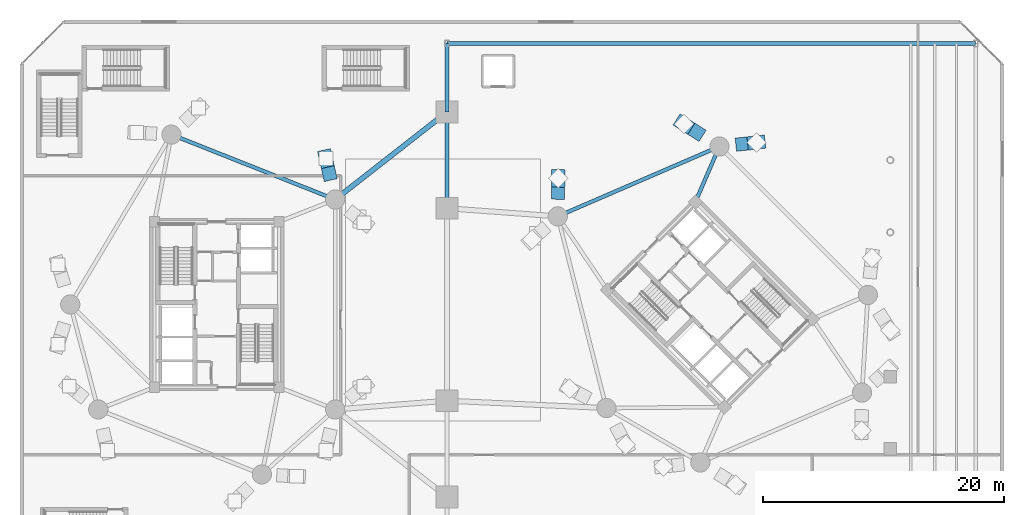
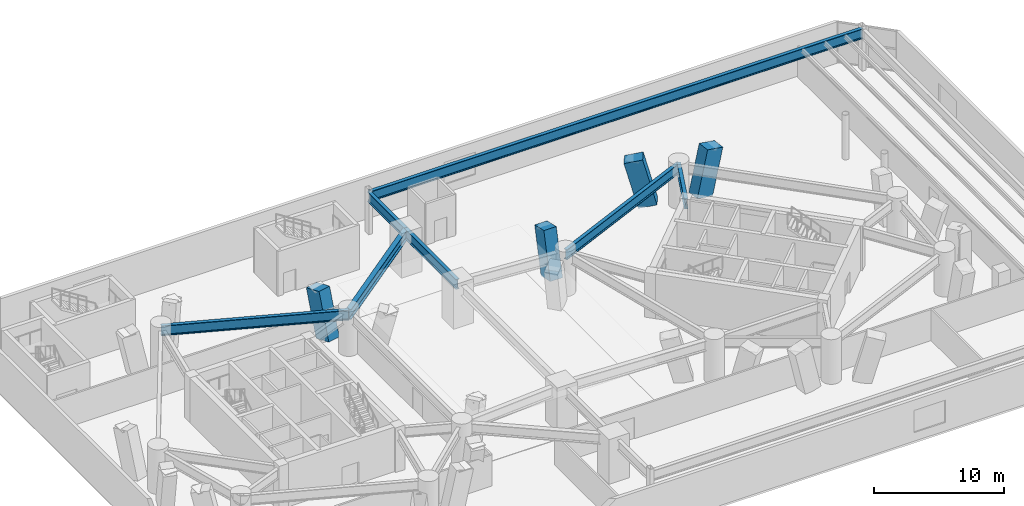
# One storey, part 6 of 20: 7 beams, 4 members.
"""IFC4 building model written with IfcOpenShell, lengths in metres."""

import ifcopenshell
import ifcopenshell.guid

model = None  # the IFC model being written
_history = None  # IfcOwnerHistory: only IFC2X3 demands one
_inside = {}  # id of a spatial element -> (the spatial element, [elements in it])
_under = {}  # id of a project, library or spatial element -> (it, [spatial elements below it])
_declared = {}  # id of a project -> (the project, [libraries it declares])
_typed = {}  # id of a type object -> (the type object, [elements of that type])
_made_of = {}  # id of a material, layer set ... -> (it, [elements and type objects made of it])


def new_model(schema):
    """Start an empty IFC model of exactly this schema.

    Asked for "IFC4X3", IfcOpenShell would pick the latest addendum, in which some entities
    have other attributes; the version numbers below select the first issue.
    IFC2X3 requires an IfcOwnerHistory on every rooted entity: one is made here for all.
    """
    global model, _history
    if schema == "IFC4X3":
        model = ifcopenshell.file(schema_version=(4, 3, 0, 0))
    else:
        model = ifcopenshell.file(schema=schema)
    _inside.clear()
    _under.clear()
    _declared.clear()
    _typed.clear()
    _made_of.clear()
    _history = None
    if model.schema == "IFC2X3":
        org = make("IfcOrganization", Name="unknown")
        user = make(
            "IfcPersonAndOrganization",
            ThePerson=make("IfcPerson", FamilyName="unknown"),
            TheOrganization=org,
        )
        app = make(
            "IfcApplication",
            ApplicationDeveloper=org,
            Version="unknown",
            ApplicationFullName="unknown",
            ApplicationIdentifier="unknown",
        )
        _history = make(
            "IfcOwnerHistory",
            OwningUser=user,
            OwningApplication=app,
            ChangeAction="ADDED",
            CreationDate=0,
        )
    return model


def make(cls, **values):
    """One entity of the class cls with the attributes given. An attribute that is None is left unset."""
    return model.create_entity(
        cls, **{name: value for name, value in values.items() if value is not None}
    )


def rooted(cls, **values):
    """An entity with a GlobalId (a new one), such as an element, a storey or a relation."""
    return make(cls, GlobalId=ifcopenshell.guid.new(), OwnerHistory=_history, **values)


def si_unit(unit_type, name, prefix=None):
    """IfcSIUnit, for example si_unit("LENGTHUNIT", "METRE", prefix="MILLI")."""
    return make("IfcSIUnit", UnitType=unit_type, Prefix=prefix, Name=name)


def assignment(units):
    """IfcUnitAssignment: the units of a project."""
    return None if units is None else make("IfcUnitAssignment", Units=units)


def point(xyz):
    """IfcCartesianPoint."""
    return None if xyz is None else make("IfcCartesianPoint", Coordinates=xyz)


def direction(xyz):
    """IfcDirection."""
    return None if xyz is None else make("IfcDirection", DirectionRatios=xyz)


def frame(location, z_axis=None, x_axis=None):
    """IfcAxis2Placement3D, a coordinate frame: its origin and axes. An axis left out is left unset."""
    return make(
        "IfcAxis2Placement3D",
        Location=point(location),
        Axis=direction(z_axis),
        RefDirection=direction(x_axis),
    )


def frame_2d(location, x_axis=None):
    """IfcAxis2Placement2D, a coordinate frame in the plane: its origin and x axis."""
    return make(
        "IfcAxis2Placement2D", Location=point(location), RefDirection=direction(x_axis)
    )


def origin():
    """The frame at (0, 0, 0) with its axes left unset."""
    return frame((0.0, 0.0, 0.0))


def origin_2d():
    """The frame at (0, 0) in the plane with its x axis left unset."""
    return frame_2d((0.0, 0.0))


def place(relative_to, where):
    """IfcLocalPlacement: puts the frame where relative to a parent placement (None: the world)."""
    return make(
        "IfcLocalPlacement", PlacementRelTo=relative_to, RelativePlacement=where
    )


def context(
    kind, dimensions, precision=None, world=None, true_north=None, identifier=None
):
    """IfcGeometricRepresentationContext, for example the 3D "Model" context."""
    return make(
        "IfcGeometricRepresentationContext",
        ContextIdentifier=identifier,
        ContextType=kind,
        CoordinateSpaceDimension=dimensions,
        Precision=precision,
        WorldCoordinateSystem=world,
        TrueNorth=true_north,
    )


def subcontext(parent, identifier, kind, view, scale=None):
    """IfcGeometricRepresentationSubContext, for example "Body" below "Model"."""
    return make(
        "IfcGeometricRepresentationSubContext",
        ContextIdentifier=identifier,
        ContextType=kind,
        ParentContext=parent,
        TargetScale=scale,
        TargetView=view,
    )


def project(units=None, contexts=None):
    """IfcProject with its units and contexts."""
    return rooted(
        "IfcProject",
        Name="project",
        RepresentationContexts=contexts,
        UnitsInContext=assignment(units),
    )


def spatial(cls, under=None, at=None, **own):
    """A site, building, storey or space (cls), placed at a placement, below another one or the project."""
    s = rooted(cls, ObjectPlacement=at, **own)
    if under is not None:
        _under.setdefault(under.id(), (under, []))[1].append(s)
    return s


def profile(cls, at=None, kind="AREA", **sizes):
    """A parametric profile (cls). Its sizes go by their IFC names, for example OverallWidth=200.0."""
    return make(cls, ProfileType=kind, Position=at, **sizes)


def rectangle(**sizes):
    """IfcRectangleProfileDef."""
    return profile("IfcRectangleProfileDef", **sizes)


def i_section(**sizes):
    """IfcIShapeProfileDef."""
    return profile("IfcIShapeProfileDef", **sizes)


def extrude(swept, where, along, depth):
    """IfcExtrudedAreaSolid: the profile swept, set in the frame where, extruded along a direction by depth."""
    return make(
        "IfcExtrudedAreaSolid",
        SweptArea=swept,
        Position=where,
        ExtrudedDirection=direction(along),
        Depth=depth,
    )


def shape(context_of_items, identifier, shape_type, items):
    """IfcShapeRepresentation: the items that make up one representation, for example the "Body"."""
    return make(
        "IfcShapeRepresentation",
        ContextOfItems=context_of_items,
        RepresentationIdentifier=identifier,
        RepresentationType=shape_type,
        Items=items,
    )


def material(Name=None, Category=None):
    """IfcMaterial."""
    return make("IfcMaterial", Name=Name, Category=Category)


def material_profile(
    of_material, cross_section, Name=None, Category=None, Priority=None
):
    """IfcMaterialProfile: a cross section and its material."""
    return make(
        "IfcMaterialProfile",
        Name=Name,
        Material=of_material,
        Profile=cross_section,
        Priority=Priority,
        Category=Category,
    )


def profile_set(profiles, Name=None, composite=None):
    """IfcMaterialProfileSet."""
    return make(
        "IfcMaterialProfileSet",
        Name=Name,
        MaterialProfiles=profiles,
        CompositeProfile=composite,
    )


def made_of(thing, what):
    """Note that an element or type object is made of a material, layer set ...; save() writes the relation."""
    if what is not None:
        _made_of.setdefault(what.id(), (what, []))[1].append(thing)
    return thing


def type_object(cls, material=None, **own):
    """A type object (cls), such as IfcWallType, which elements share."""
    return made_of(rooted(cls, **own), material)


def element(
    cls,
    number,
    at=None,
    inside=None,
    cuts=None,
    type_object=None,
    material=None,
    context=None,
    identifier="Body",
    shape_type=None,
    held_by="IfcProductDefinitionShape",
    body=None,
    shapes=None,
    **own,
):
    """One element of the class cls, such as IfcWall. Its Tag is "e" and its number.

    at: its placement. inside: the storey or other place that contains it. cuts: it is an
    opening in that element (IfcRelVoidsElement). A single representation is given by context,
    identifier, shape_type and body (its items); several are given by shapes. held_by: the class
    of the entity that holds the representations. save() writes the other relations.
    """
    e = rooted(cls, Tag="e%d" % number, ObjectPlacement=at, **own)
    if body is not None:
        shapes = [shape(context, identifier, shape_type, body)]
    if shapes is not None:
        e.Representation = make(held_by, Representations=shapes)
    if inside is not None:
        _inside.setdefault(inside.id(), (inside, []))[1].append(e)
    if cuts is not None:
        rooted(
            "IfcRelVoidsElement", RelatingBuildingElement=cuts, RelatedOpeningElement=e
        )
    if type_object is not None:
        _typed.setdefault(type_object.id(), (type_object, []))[1].append(e)
    return made_of(e, material)


def aggregate(whole, parts):
    """IfcRelAggregates: a whole, such as a stair, and the parts it consists of."""
    return rooted("IfcRelAggregates", RelatingObject=whole, RelatedObjects=parts)


def save(model, path):
    """Write the relations noted so far, then the file.

    IfcRelAggregates (storeys below a building ...), IfcRelContainedInSpatialStructure (elements
    in a storey), IfcRelDefinesByType, IfcRelAssociatesMaterial and IfcRelDeclares: one each for
    every whole, place, type object, material and project.
    """
    for whole, parts in _under.values():
        aggregate(whole, parts)
    for where, things in _inside.values():
        rooted(
            "IfcRelContainedInSpatialStructure",
            RelatedElements=things,
            RelatingStructure=where,
        )
    for kind, things in _typed.values():
        rooted("IfcRelDefinesByType", RelatedObjects=things, RelatingType=kind)
    for what, things in _made_of.values():
        rooted("IfcRelAssociatesMaterial", RelatedObjects=things, RelatingMaterial=what)
    for by, libraries in _declared.values():
        rooted("IfcRelDeclares", RelatingContext=by, RelatedDefinitions=libraries)
    model.write(path)


model = new_model("IFC4")

# Units and contexts
model_context = context("Model", 3, precision=1e-05, world=origin(), true_north=direction((0.0, 1.0)))
body_context = subcontext(model_context, "Body", "Model", "MODEL_VIEW")
ifc_project = project(units=[si_unit("LENGTHUNIT", "METRE"), si_unit("AREAUNIT", "SQUARE_METRE"), si_unit("VOLUMEUNIT", "CUBIC_METRE"), si_unit("PLANEANGLEUNIT", "RADIAN"), si_unit("MASSUNIT", "GRAM", prefix="KILO")], contexts=[model_context])

# Site, building, storey
site_placement = place(None, origin())
site = spatial("IfcSite", under=ifc_project, at=site_placement, CompositionType="ELEMENT")
building_placement = place(site_placement, origin())
building = spatial("IfcBuilding", under=site, at=building_placement, Name="Cununo Teusaquillo Station Towers", CompositionType="ELEMENT")
storey_placement = place(building_placement, frame((0.0, 0.0, 9.0)))
storey = spatial("IfcBuildingStorey", under=building, at=storey_placement, Name="L02", CompositionType="ELEMENT", Elevation=9.0)

# Beams
ifc_material_1 = material(Name="Steel ASTM A572 Grade 50", Category="steel")
ifc_material_profile_1 = material_profile(ifc_material_1, i_section(OverallWidth=0.30810546875, OverallDepth=0.943115234375, WebThickness=0.022216796875, FlangeThickness=0.039794921875, FilletRadius=0.02392578125, at=origin_2d()), Name="W36X232")
ifc_profile_set_1 = profile_set([ifc_material_profile_1], Name="Steel ASTM A572 Grade 50")
beam_type_1 = type_object("IfcBeamType", Name="BM-POD-SEC", PredefinedType="BEAM", material=ifc_profile_set_1)
beam_1_placement = place(storey_placement, frame((26.347412109375, 33.228515625, 3.428466796875), z_axis=(-0.929621249939, 0.368516392664, 0.0), x_axis=(-0.368516392664, -0.929621249939, 0.0)))
element("IfcBeam", 1, at=beam_1_placement, inside=storey, type_object=beam_type_1, Name="L02 Tower A Podium Perimeter Girder 1", PredefinedType="BEAM", context=body_context, shape_type="SweptSolid", body=[
    extrude(i_section(OverallWidth=0.30810546875, OverallDepth=0.943115234375, WebThickness=0.022216796875, FlangeThickness=0.039794921875, FilletRadius=0.02392578125, at=origin_2d()), origin(), (0.0, 0.0, 1.0), 14.63916015625),
])
beam_2_placement = place(storey_placement, frame((58.291015625, 37.63525390625, 3.428466796875), z_axis=(-0.917915648818, -0.396775580971, 0.0), x_axis=(0.396775580971, -0.917915648818, 0.0)))
element("IfcBeam", 2, at=beam_2_placement, inside=storey, type_object=beam_type_1, Name="L02 Tower B Podium Perimeter Girder 1", PredefinedType="BEAM", context=body_context, shape_type="SweptSolid", body=[
    extrude(i_section(OverallWidth=0.30810546875, OverallDepth=0.943115234375, WebThickness=0.022216796875, FlangeThickness=0.039794921875, FilletRadius=0.02392578125, at=origin_2d()), origin(), (0.0, 0.0, 1.0), 14.638916015625),
])
beam_3_placement = place(storey_placement, frame((56.29443359375, 33.024169921875, 3.428466796875), z_axis=(0.397346986387, 0.917668443616, 0.0), x_axis=(-0.917668443616, 0.397346986387, 0.0)))
element("IfcBeam", 3, at=beam_3_placement, inside=storey, type_object=beam_type_1, Name="L02 Tower B Podium Radial Girder 1", PredefinedType="BEAM", context=body_context, shape_type="SweptSolid", body=[
    extrude(i_section(OverallWidth=0.30810546875, OverallDepth=0.943115234375, WebThickness=0.022216796875, FlangeThickness=0.039794921875, FilletRadius=0.02392578125, at=origin_2d()), origin(), (0.0, 0.0, 1.0), 5.02490234375),
])
beam_4_placement = place(storey_placement, frame((35.64990234375, 32.5, 3.428466796875), z_axis=(0.0, 1.0, 0.0), x_axis=(-1.0, 0.0, 0.0)))
element("IfcBeam", 4, at=beam_4_placement, inside=storey, type_object=beam_type_1, Name="L02 Station Podium Girder NS-3", PredefinedType="BEAM", context=body_context, shape_type="SweptSolid", body=[
    extrude(i_section(OverallWidth=0.30810546875, OverallDepth=0.943115234375, WebThickness=0.022216796875, FlangeThickness=0.039794921875, FilletRadius=0.02392578125, at=origin_2d()), origin(), (0.0, 0.0, 1.0), 8.0),
])
beam_5_placement = place(storey_placement, frame((35.64990234375, 40.5, 3.428466796875), z_axis=(0.0, 1.0, 0.0), x_axis=(-1.0, 0.0, 0.0)))
element("IfcBeam", 5, at=beam_5_placement, inside=storey, type_object=beam_type_1, Name="L02 Station Podium Girder NS-4", PredefinedType="BEAM", context=body_context, shape_type="SweptSolid", body=[
    extrude(i_section(OverallWidth=0.30810546875, OverallDepth=0.943115234375, WebThickness=0.022216796875, FlangeThickness=0.039794921875, FilletRadius=0.02392578125, at=origin_2d()), origin(), (0.0, 0.0, 1.0), 5.699951171875),
])
beam_6_placement = place(storey_placement, frame((35.64990234375, 46.199951171875, 3.428466796875), z_axis=(1.0, 0.0, 0.0), x_axis=(0.0, 1.0, 0.0)))
element("IfcBeam", 6, at=beam_6_placement, inside=storey, type_object=beam_type_1, Name="L02 Station Podium Girder CAN-N", PredefinedType="BEAM", context=body_context, shape_type="SweptSolid", body=[
    extrude(i_section(OverallWidth=0.30810546875, OverallDepth=0.943115234375, WebThickness=0.022216796875, FlangeThickness=0.039794921875, FilletRadius=0.02392578125, at=origin_2d()), origin(), (0.0, 0.0, 1.0), 43.9501953125),
])
ifc_material_2 = material(Name="Steel ASTM A572 Grade 50", Category="steel")
ifc_material_profile_2 = material_profile(ifc_material_2, i_section(OverallWidth=0.423095703125, OverallDepth=0.947998046875, WebThickness=0.02392578125, FlangeThickness=0.042724609375, FilletRadius=0.02392578125, at=origin_2d()), Name="W36X302")
ifc_profile_set_2 = profile_set([ifc_material_profile_2], Name="Steel ASTM A572 Grade 50")
beam_type_2 = type_object("IfcBeamType", Name="BM-POD-SPAN", PredefinedType="BEAM", material=ifc_profile_set_2)
beam_7_placement = place(storey_placement, frame((26.347412109375, 33.228515625, 3.426025390625), z_axis=(0.787863531103, 0.615849865112, 0.0), x_axis=(-0.615849865112, 0.787863531103, 0.0)))
element("IfcBeam", 7, at=beam_7_placement, inside=storey, type_object=beam_type_2, Name="L02 Station Podium Girder EW-N", PredefinedType="BEAM", context=body_context, shape_type="SweptSolid", body=[
    extrude(i_section(OverallWidth=0.423095703125, OverallDepth=0.947998046875, WebThickness=0.02392578125, FlangeThickness=0.042724609375, FilletRadius=0.02392578125, at=origin_2d()), origin(), (0.0, 0.0, 1.0), 11.80712890625),
])

# Members
ifc_material_3 = material(Name="Concrete C60/75", Category="concrete")
ifc_material_profile_3 = material_profile(ifc_material_3, rectangle(XDim=1.10009765625, YDim=1.5, at=origin_2d()), Name="RC-RECT-1500x1100")
ifc_profile_set_3 = profile_set([ifc_material_profile_3], Name="Concrete C60/75")
member_type = type_object("IfcMemberType", Name="MBR-VFOOT", PredefinedType="USERDEFINED", material=ifc_profile_set_3)
member_1_placement = place(storey_placement, frame((25.822509765625, 35.545654296875, 0.0), z_axis=(-0.056372761122, 0.248928174485, 0.966879969671), x_axis=(-0.975303454617, -0.220869127338, 0.0)))
element("IfcMember", 8, at=member_1_placement, inside=storey, type_object=member_type, Name="L02 Tower A Sloping Concrete V-Foot V02R", ObjectType="V FOOT STRUT", PredefinedType="USERDEFINED", context=body_context, shape_type="SweptSolid", body=[
    extrude(rectangle(XDim=1.10009765625, YDim=1.5, at=origin_2d()), origin(), (0.0, 0.0, 1.0), 4.34375),
])
member_2_placement = place(storey_placement, frame((60.385986328125, 37.860595703125, 0.0), z_axis=(0.226623403117, 0.024394277408, 0.97367692403), x_axis=(-0.107024105803, 0.994256426068, 0.0)))
element("IfcMember", 9, at=member_2_placement, inside=storey, type_object=member_type, Name="L02 Tower B Sloping Concrete V-Foot V02L", ObjectType="V FOOT STRUT", PredefinedType="USERDEFINED", context=body_context, shape_type="SweptSolid", body=[
    extrude(rectangle(XDim=1.10009765625, YDim=1.5, at=origin_2d()), origin(), (0.0, 0.0, 1.0), 4.3134765625),
])
member_3_placement = place(storey_placement, frame((56.281494140625, 38.902587890625, 0.0), z_axis=(-0.215827464603, 0.136128676893, 0.96689580041), x_axis=(-0.533479089149, -0.845813254472, 0.0)))
element("IfcMember", 10, at=member_3_placement, inside=storey, type_object=member_type, Name="L02 Tower B Sloping Concrete V-Foot V02R", ObjectType="V FOOT STRUT", PredefinedType="USERDEFINED", context=body_context, shape_type="SweptSolid", body=[
    extrude(rectangle(XDim=1.10009765625, YDim=1.5, at=origin_2d()), origin(), (0.0, 0.0, 1.0), 4.34375),
])
member_4_placement = place(storey_placement, frame((44.881103515625, 33.9755859375, 0.0), z_axis=(0.002940051874, 0.23226409803, 0.972648315097), x_axis=(-0.99991989426, 0.012657213851, 0.0)))
element("IfcMember", 11, at=member_4_placement, inside=storey, type_object=member_type, Name="L02 Tower B Sloping Concrete V-Foot V06L", ObjectType="V FOOT STRUT", PredefinedType="USERDEFINED", context=body_context, shape_type="SweptSolid", body=[
    extrude(rectangle(XDim=1.10009765625, YDim=1.5, at=origin_2d()), origin(), (0.0, 0.0, 1.0), 4.318115234375),
])

save(model, "model.ifc")
